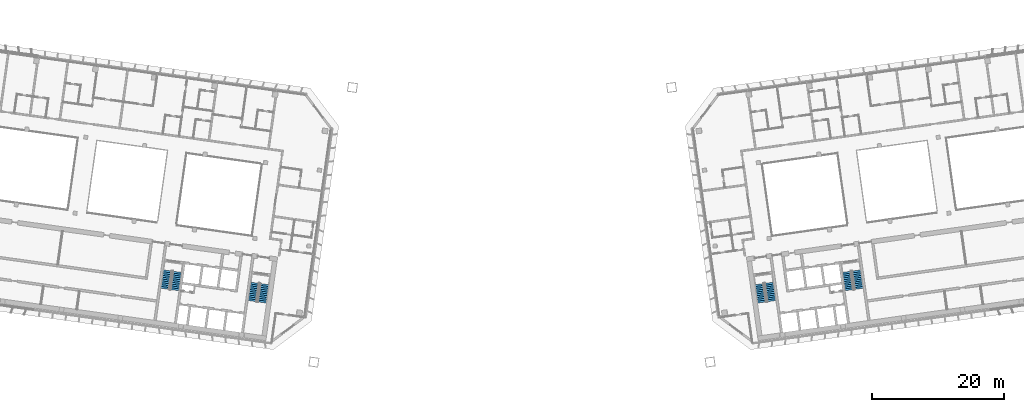
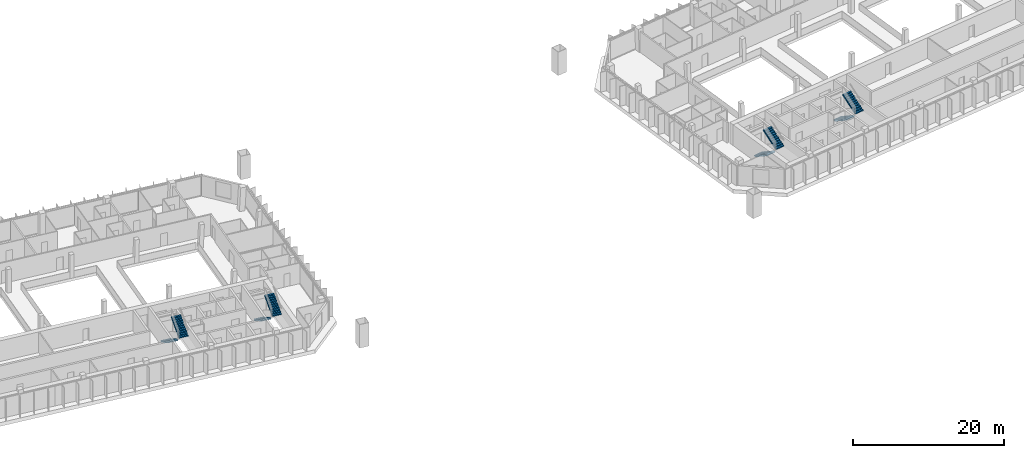
# One storey, part 26 of 32: 8 stair flights, 4 elements without a shape of their own.
"""IFC4 building model written with IfcOpenShell, lengths in metres."""

from ifc_helpers import new_model, si_unit, direction, frame, origin, place, context, subcontext, project, spatial, polyline, outline, extrude, material, type_object, element, aggregate, save


model = new_model("IFC4")

# Units and contexts
model_context = context("Model", 3, precision=1e-05, world=origin(), true_north=direction((0.0, 1.0)))
body_context = subcontext(model_context, "Body", "Model", "MODEL_VIEW")
ifc_project = project(units=[si_unit("LENGTHUNIT", "METRE"), si_unit("AREAUNIT", "SQUARE_METRE"), si_unit("VOLUMEUNIT", "CUBIC_METRE"), si_unit("PLANEANGLEUNIT", "RADIAN"), si_unit("MASSUNIT", "GRAM", prefix="KILO")], contexts=[model_context])

# Site, building, storey
site_placement = place(None, origin())
site = spatial("IfcSite", under=ifc_project, at=site_placement, CompositionType="ELEMENT")
building_placement = place(site_placement, origin())
building = spatial("IfcBuilding", under=site, at=building_placement, Name="Mirante Cascada Hotel Towers", CompositionType="ELEMENT")
storey_placement = place(building_placement, frame((0.0, 0.0, 176.4)))
storey = spatial("IfcBuildingStorey", under=building, at=storey_placement, Name="L41", CompositionType="ELEMENT", Elevation=176.4)

# Stair, stair flights
ifc_material_1 = material(Name="Concrete C35/45", Category="concrete")
stair_type = type_object("IfcStairType", Name="Exit stair half-turn 1350 concrete C35/45", PredefinedType="HALF_TURN_STAIR", material=ifc_material_1)
stair_1_placement = place(storey_placement, origin())
stair_1 = element("IfcStair", 1, at=stair_1_placement, inside=storey, type_object=stair_type, Name="L41 Exit stair A", PredefinedType="HALF_TURN_STAIR")
ifc_material_2 = material(Name="Concrete C35/45", Category="concrete")
stair_flight_type = type_object("IfcStairFlightType", Name="Exit stair flight 1350 concrete C35/45", PredefinedType="STRAIGHT", material=ifc_material_2)
stair_flight_1_placement = place(storey_placement, frame((-38.9417, -11.195, 0.0), z_axis=(0.0, 0.0, 1.0), x_axis=(-0.1391731, -0.9902681, 0.0)))
stair_flight_1 = element("IfcStairFlight", 2, at=stair_flight_1_placement, type_object=stair_flight_type, Name="ST1-A flight 1", NumberOfRisers=11, NumberOfTreads=10, PredefinedType="STRAIGHT", RiserHeight=0.172727273, TreadLength=0.28, context=body_context, shape_type="SweptSolid", body=[
    extrude(outline(polyline([(0.0, 0.0), (0.0, 0.1727), (0.28, 0.1727), (0.28, 0.3455), (0.56, 0.3455), (0.56, 0.5182), (0.84, 0.5182), (0.84, 0.6909), (1.12, 0.6909), (1.12, 0.8636), (1.4, 0.8636), (1.4, 1.0364), (1.68, 1.0364), (1.68, 1.2091), (1.96, 1.2091), (1.96, 1.3818), (2.24, 1.3818), (2.24, 1.5545), (2.52, 1.5545), (2.52, 1.7273), (2.8, 1.7273), (2.8, 1.9), (2.8, 1.551), (0.2857, 0.0), (0.0, 0.0)])), frame((0.0, 0.675, 0.0), z_axis=(0.0, -1.0, 0.0), x_axis=(1.0, 0.0, 0.0)), (0.0, 0.0, 1.0), 1.35),
])
stair_flight_2_placement = place(storey_placement, frame((-37.846, -14.1765, 1.9), z_axis=(0.0, 0.0, 1.0), x_axis=(0.1391731, 0.9902681, 0.0)))
stair_flight_2 = element("IfcStairFlight", 3, at=stair_flight_2_placement, type_object=stair_flight_type, Name="ST1-A flight 2", NumberOfRisers=11, NumberOfTreads=10, PredefinedType="STRAIGHT", RiserHeight=0.172727273, TreadLength=0.28, context=body_context, shape_type="SweptSolid", body=[
    extrude(outline(polyline([(0.0, 0.0), (0.0, 0.1727), (0.28, 0.1727), (0.28, 0.3455), (0.56, 0.3455), (0.56, 0.5182), (0.84, 0.5182), (0.84, 0.6909), (1.12, 0.6909), (1.12, 0.8636), (1.4, 0.8636), (1.4, 1.0364), (1.68, 1.0364), (1.68, 1.2091), (1.96, 1.2091), (1.96, 1.3818), (2.24, 1.3818), (2.24, 1.5545), (2.52, 1.5545), (2.52, 1.7273), (2.8, 1.7273), (2.8, 1.9), (2.8, 1.551), (0.2857, 0.0), (0.0, 0.0)])), frame((0.0, 0.675, 0.0), z_axis=(0.0, -1.0, 0.0), x_axis=(1.0, 0.0, 0.0)), (0.0, 0.0, 1.0), 1.35),
])
aggregate(stair_1, [stair_flight_1, stair_flight_2])

stair_2_placement = place(storey_placement, origin())
stair_2 = element("IfcStair", 4, at=stair_2_placement, inside=storey, type_object=stair_type, Name="L41 Exit stair B", PredefinedType="HALF_TURN_STAIR")
stair_flight_3_placement = place(storey_placement, frame((-52.1618, -9.3371, 0.0), z_axis=(0.0, 0.0, 1.0), x_axis=(-0.1391731, -0.9902681, 0.0)))
stair_flight_3 = element("IfcStairFlight", 5, at=stair_flight_3_placement, type_object=stair_flight_type, Name="ST1-B flight 1", NumberOfRisers=11, NumberOfTreads=10, PredefinedType="STRAIGHT", RiserHeight=0.172727273, TreadLength=0.28, context=body_context, shape_type="SweptSolid", body=[
    extrude(outline(polyline([(0.0, 0.0), (0.0, 0.1727), (0.28, 0.1727), (0.28, 0.3455), (0.56, 0.3455), (0.56, 0.5182), (0.84, 0.5182), (0.84, 0.6909), (1.12, 0.6909), (1.12, 0.8636), (1.4, 0.8636), (1.4, 1.0364), (1.68, 1.0364), (1.68, 1.2091), (1.96, 1.2091), (1.96, 1.3818), (2.24, 1.3818), (2.24, 1.5545), (2.52, 1.5545), (2.52, 1.7273), (2.8, 1.7273), (2.8, 1.9), (2.8, 1.551), (0.2857, 0.0), (0.0, 0.0)])), frame((0.0, 0.675, 0.0), z_axis=(0.0, -1.0, 0.0), x_axis=(1.0, 0.0, 0.0)), (0.0, 0.0, 1.0), 1.35),
])
stair_flight_4_placement = place(storey_placement, frame((-51.0661, -12.3186, 1.9), z_axis=(0.0, 0.0, 1.0), x_axis=(0.1391731, 0.9902681, 0.0)))
stair_flight_4 = element("IfcStairFlight", 6, at=stair_flight_4_placement, type_object=stair_flight_type, Name="ST1-B flight 2", NumberOfRisers=11, NumberOfTreads=10, PredefinedType="STRAIGHT", RiserHeight=0.172727273, TreadLength=0.28, context=body_context, shape_type="SweptSolid", body=[
    extrude(outline(polyline([(0.0, 0.0), (0.0, 0.1727), (0.28, 0.1727), (0.28, 0.3455), (0.56, 0.3455), (0.56, 0.5182), (0.84, 0.5182), (0.84, 0.6909), (1.12, 0.6909), (1.12, 0.8636), (1.4, 0.8636), (1.4, 1.0364), (1.68, 1.0364), (1.68, 1.2091), (1.96, 1.2091), (1.96, 1.3818), (2.24, 1.3818), (2.24, 1.5545), (2.52, 1.5545), (2.52, 1.7273), (2.8, 1.7273), (2.8, 1.9), (2.8, 1.551), (0.2857, 0.0), (0.0, 0.0)])), frame((0.0, 0.675, 0.0), z_axis=(0.0, -1.0, 0.0), x_axis=(1.0, 0.0, 0.0)), (0.0, 0.0, 1.0), 1.35),
])
aggregate(stair_2, [stair_flight_3, stair_flight_4])

stair_3_placement = place(storey_placement, origin())
stair_3 = element("IfcStair", 7, at=stair_3_placement, inside=storey, type_object=stair_type, Name="L41 Exit stair A", PredefinedType="HALF_TURN_STAIR")
stair_flight_5_placement = place(storey_placement, frame((37.4563, -11.4038, 0.0), z_axis=(0.0, 0.0, 1.0), x_axis=(0.1391731, -0.9902681, 0.0)))
stair_flight_5 = element("IfcStairFlight", 8, at=stair_flight_5_placement, type_object=stair_flight_type, Name="ST2-A flight 1", NumberOfRisers=11, NumberOfTreads=10, PredefinedType="STRAIGHT", RiserHeight=0.172727273, TreadLength=0.28, context=body_context, shape_type="SweptSolid", body=[
    extrude(outline(polyline([(0.0, 0.0), (0.0, 0.1727), (0.28, 0.1727), (0.28, 0.3455), (0.56, 0.3455), (0.56, 0.5182), (0.84, 0.5182), (0.84, 0.6909), (1.12, 0.6909), (1.12, 0.8636), (1.4, 0.8636), (1.4, 1.0364), (1.68, 1.0364), (1.68, 1.2091), (1.96, 1.2091), (1.96, 1.3818), (2.24, 1.3818), (2.24, 1.5545), (2.52, 1.5545), (2.52, 1.7273), (2.8, 1.7273), (2.8, 1.9), (2.8, 1.551), (0.2857, 0.0), (0.0, 0.0)])), frame((0.0, 0.675, 0.0), z_axis=(0.0, -1.0, 0.0), x_axis=(1.0, 0.0, 0.0)), (0.0, 0.0, 1.0), 1.35),
])
stair_flight_6_placement = place(storey_placement, frame((39.3314, -13.9678, 1.9), z_axis=(0.0, 0.0, 1.0), x_axis=(-0.1391731, 0.9902681, 0.0)))
stair_flight_6 = element("IfcStairFlight", 9, at=stair_flight_6_placement, type_object=stair_flight_type, Name="ST2-A flight 2", NumberOfRisers=11, NumberOfTreads=10, PredefinedType="STRAIGHT", RiserHeight=0.172727273, TreadLength=0.28, context=body_context, shape_type="SweptSolid", body=[
    extrude(outline(polyline([(0.0, 0.0), (0.0, 0.1727), (0.28, 0.1727), (0.28, 0.3455), (0.56, 0.3455), (0.56, 0.5182), (0.84, 0.5182), (0.84, 0.6909), (1.12, 0.6909), (1.12, 0.8636), (1.4, 0.8636), (1.4, 1.0364), (1.68, 1.0364), (1.68, 1.2091), (1.96, 1.2091), (1.96, 1.3818), (2.24, 1.3818), (2.24, 1.5545), (2.52, 1.5545), (2.52, 1.7273), (2.8, 1.7273), (2.8, 1.9), (2.8, 1.551), (0.2857, 0.0), (0.0, 0.0)])), frame((0.0, 0.675, 0.0), z_axis=(0.0, -1.0, 0.0), x_axis=(1.0, 0.0, 0.0)), (0.0, 0.0, 1.0), 1.35),
])
aggregate(stair_3, [stair_flight_5, stair_flight_6])

stair_4_placement = place(storey_placement, origin())
stair_4 = element("IfcStair", 10, at=stair_4_placement, inside=storey, type_object=stair_type, Name="L41 Exit stair B", PredefinedType="HALF_TURN_STAIR")
stair_flight_7_placement = place(storey_placement, frame((50.6764, -9.5458, 0.0), z_axis=(0.0, 0.0, 1.0), x_axis=(0.1391731, -0.9902681, 0.0)))
stair_flight_7 = element("IfcStairFlight", 11, at=stair_flight_7_placement, type_object=stair_flight_type, Name="ST2-B flight 1", NumberOfRisers=11, NumberOfTreads=10, PredefinedType="STRAIGHT", RiserHeight=0.172727273, TreadLength=0.28, context=body_context, shape_type="SweptSolid", body=[
    extrude(outline(polyline([(0.0, 0.0), (0.0, 0.1727), (0.28, 0.1727), (0.28, 0.3455), (0.56, 0.3455), (0.56, 0.5182), (0.84, 0.5182), (0.84, 0.6909), (1.12, 0.6909), (1.12, 0.8636), (1.4, 0.8636), (1.4, 1.0364), (1.68, 1.0364), (1.68, 1.2091), (1.96, 1.2091), (1.96, 1.3818), (2.24, 1.3818), (2.24, 1.5545), (2.52, 1.5545), (2.52, 1.7273), (2.8, 1.7273), (2.8, 1.9), (2.8, 1.551), (0.2857, 0.0), (0.0, 0.0)])), frame((0.0, 0.675, 0.0), z_axis=(0.0, -1.0, 0.0), x_axis=(1.0, 0.0, 0.0)), (0.0, 0.0, 1.0), 1.35),
])
stair_flight_8_placement = place(storey_placement, frame((52.5515, -12.1098, 1.9), z_axis=(0.0, 0.0, 1.0), x_axis=(-0.1391731, 0.9902681, 0.0)))
stair_flight_8 = element("IfcStairFlight", 12, at=stair_flight_8_placement, type_object=stair_flight_type, Name="ST2-B flight 2", NumberOfRisers=11, NumberOfTreads=10, PredefinedType="STRAIGHT", RiserHeight=0.172727273, TreadLength=0.28, context=body_context, shape_type="SweptSolid", body=[
    extrude(outline(polyline([(0.0, 0.0), (0.0, 0.1727), (0.28, 0.1727), (0.28, 0.3455), (0.56, 0.3455), (0.56, 0.5182), (0.84, 0.5182), (0.84, 0.6909), (1.12, 0.6909), (1.12, 0.8636), (1.4, 0.8636), (1.4, 1.0364), (1.68, 1.0364), (1.68, 1.2091), (1.96, 1.2091), (1.96, 1.3818), (2.24, 1.3818), (2.24, 1.5545), (2.52, 1.5545), (2.52, 1.7273), (2.8, 1.7273), (2.8, 1.9), (2.8, 1.551), (0.2857, 0.0), (0.0, 0.0)])), frame((0.0, 0.675, 0.0), z_axis=(0.0, -1.0, 0.0), x_axis=(1.0, 0.0, 0.0)), (0.0, 0.0, 1.0), 1.35),
])
aggregate(stair_4, [stair_flight_7, stair_flight_8])

save(model, "model.ifc")
